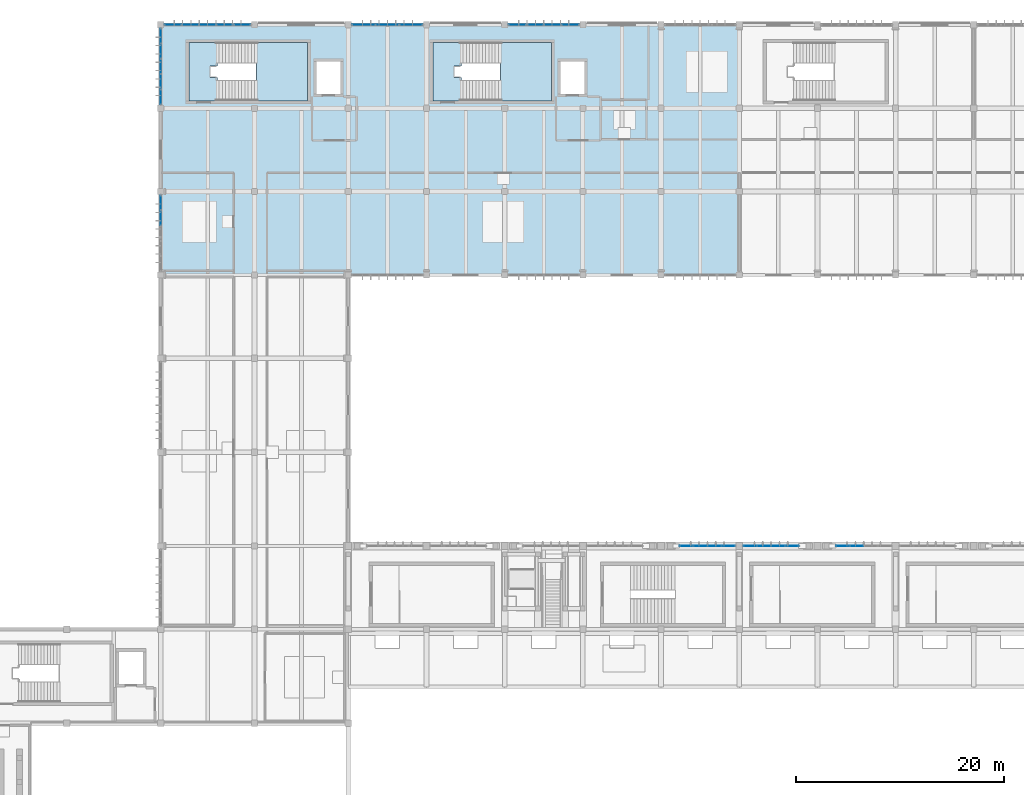
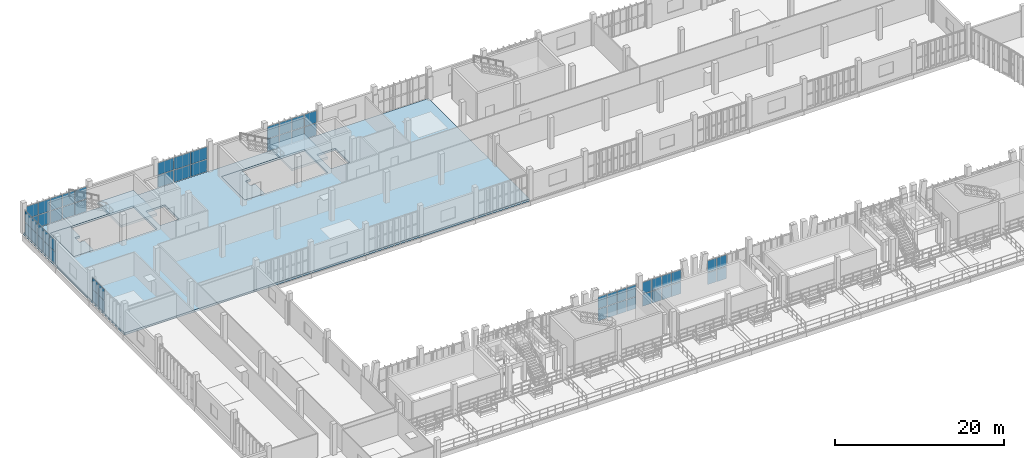
# One storey, part 42 of 81: 58 plates, 5 slabs, 10 elements without a shape of their own.
"""IFC4 building model written with IfcOpenShell, lengths in metres."""

from ifc_helpers import new_model, si_unit, direction, frame, origin, origin_2d, place, context, subcontext, project, spatial, polyline, rectangle, outline, extrude, material, layer, layer_set, type_object, element, aggregate, save


model = new_model("IFC4")

# Units and contexts
model_context = context("Model", 3, precision=1e-05, world=origin(), true_north=direction((0.0, 1.0)))
body_context = subcontext(model_context, "Body", "Model", "MODEL_VIEW")
ifc_project = project(units=[si_unit("LENGTHUNIT", "METRE"), si_unit("AREAUNIT", "SQUARE_METRE"), si_unit("VOLUMEUNIT", "CUBIC_METRE"), si_unit("PLANEANGLEUNIT", "RADIAN"), si_unit("MASSUNIT", "GRAM", prefix="KILO")], contexts=[model_context])

# Site, building, storey
site_placement = place(None, origin())
site = spatial("IfcSite", under=ifc_project, at=site_placement, CompositionType="ELEMENT")
building_placement = place(site_placement, origin())
building = spatial("IfcBuilding", under=site, at=building_placement, Name="Vourika Railside Aquatics Centre", CompositionType="ELEMENT")
storey_placement = place(building_placement, frame((0.0, 0.0, 4.800048828125)))
storey = spatial("IfcBuildingStorey", under=building, at=storey_placement, Name="L01", CompositionType="ELEMENT", Elevation=4.800048828125)

# Curtain wall, plates
ifc_material_1 = material(Name="Anodized thermally broken aluminium", Category="aluminium")
curtain_wall_type_1 = type_object("IfcCurtainWallType", Name="CW-CRT1", PredefinedType="NOTDEFINED", material=ifc_material_1)
curtain_wall_1_placement = place(storey_placement, origin())
curtain_wall_1 = element("IfcCurtainWall", 1, at=curtain_wall_1_placement, inside=storey, type_object=curtain_wall_type_1, Name="Spectator Concourse Courtyard Curtain Wall 5", PredefinedType="NOTDEFINED")
ifc_material_2 = material(Name="Low-E solar-control laminated double glazing", Category="glass")
ifc_layer_1 = layer(ifc_material_2, 0.02392578125, Name="CWP-CRT1")
ifc_layer_set_1 = layer_set([ifc_layer_1], Name="Low-E solar-control laminated double glazing")
plate_type_1 = type_object("IfcPlateType", Name="CWP-CRT1", PredefinedType="CURTAIN_PANEL", material=ifc_layer_set_1)
plate_1_placement = place(storey_placement, frame((72.44970703125, 66.0, 0.06591796875), z_axis=(0.0, 0.0, 1.0), x_axis=(-1.0, 0.0, 0.0)))
plate_1 = element("IfcPlate", 2, at=plate_1_placement, type_object=plate_type_1, Name="CW13 panel 1.1", PredefinedType="CURTAIN_PANEL", context=body_context, shape_type="SweptSolid", body=[
    extrude(rectangle(XDim=1.24853515625, YDim=0.02392578125, at=origin_2d()), origin(), (0.0, 0.0, 1.0), 1.700927734375),
])
plate_2_placement = place(storey_placement, frame((72.44970703125, 66.0, 1.8330078125), z_axis=(0.0, 0.0, 1.0), x_axis=(-1.0, 0.0, 0.0)))
plate_2 = element("IfcPlate", 3, at=plate_2_placement, type_object=plate_type_1, Name="CW13 panel 1.2", PredefinedType="CURTAIN_PANEL", context=body_context, shape_type="SweptSolid", body=[
    extrude(rectangle(XDim=1.24853515625, YDim=0.02392578125, at=origin_2d()), origin(), (0.0, 0.0, 1.0), 1.700927734375),
])
plate_3_placement = place(storey_placement, frame((71.11865234375, 66.0, 0.06591796875), z_axis=(0.0, 0.0, 1.0), x_axis=(-1.0, 0.0, 0.0)))
plate_3 = element("IfcPlate", 4, at=plate_3_placement, type_object=plate_type_1, Name="CW13 panel 2.1", PredefinedType="CURTAIN_PANEL", context=body_context, shape_type="SweptSolid", body=[
    extrude(rectangle(XDim=1.281494140625, YDim=0.02392578125, at=origin_2d()), origin(), (0.0, 0.0, 1.0), 1.700927734375),
])
plate_4_placement = place(storey_placement, frame((71.11865234375, 66.0, 1.8330078125), z_axis=(0.0, 0.0, 1.0), x_axis=(-1.0, 0.0, 0.0)))
plate_4 = element("IfcPlate", 5, at=plate_4_placement, type_object=plate_type_1, Name="CW13 panel 2.2", PredefinedType="CURTAIN_PANEL", context=body_context, shape_type="SweptSolid", body=[
    extrude(rectangle(XDim=1.281494140625, YDim=0.02392578125, at=origin_2d()), origin(), (0.0, 0.0, 1.0), 1.700927734375),
])
plate_5_placement = place(storey_placement, frame((69.771240234375, 66.0, 0.06591796875), z_axis=(0.0, 0.0, 1.0), x_axis=(-1.0, 0.0, 0.0)))
plate_5 = element("IfcPlate", 6, at=plate_5_placement, type_object=plate_type_1, Name="CW13 panel 3.1", PredefinedType="CURTAIN_PANEL", context=body_context, shape_type="SweptSolid", body=[
    extrude(rectangle(XDim=1.281494140625, YDim=0.02392578125, at=origin_2d()), origin(), (0.0, 0.0, 1.0), 1.700927734375),
])
plate_6_placement = place(storey_placement, frame((69.771240234375, 66.0, 1.8330078125), z_axis=(0.0, 0.0, 1.0), x_axis=(-1.0, 0.0, 0.0)))
plate_6 = element("IfcPlate", 7, at=plate_6_placement, type_object=plate_type_1, Name="CW13 panel 3.2", PredefinedType="CURTAIN_PANEL", context=body_context, shape_type="SweptSolid", body=[
    extrude(rectangle(XDim=1.281494140625, YDim=0.02392578125, at=origin_2d()), origin(), (0.0, 0.0, 1.0), 1.700927734375),
])
plate_7_placement = place(storey_placement, frame((68.440185546875, 66.0, 0.06591796875), z_axis=(0.0, 0.0, 1.0), x_axis=(-1.0, 0.0, 0.0)))
plate_7 = element("IfcPlate", 8, at=plate_7_placement, type_object=plate_type_1, Name="CW13 panel 4.1", PredefinedType="CURTAIN_PANEL", context=body_context, shape_type="SweptSolid", body=[
    extrude(rectangle(XDim=1.24853515625, YDim=0.02392578125, at=origin_2d()), origin(), (0.0, 0.0, 1.0), 1.700927734375),
])
plate_8_placement = place(storey_placement, frame((68.440185546875, 66.0, 1.8330078125), z_axis=(0.0, 0.0, 1.0), x_axis=(-1.0, 0.0, 0.0)))
plate_8 = element("IfcPlate", 9, at=plate_8_placement, type_object=plate_type_1, Name="CW13 panel 4.2", PredefinedType="CURTAIN_PANEL", context=body_context, shape_type="SweptSolid", body=[
    extrude(rectangle(XDim=1.24853515625, YDim=0.02392578125, at=origin_2d()), origin(), (0.0, 0.0, 1.0), 1.700927734375),
])
aggregate(curtain_wall_1, [plate_1, plate_2, plate_3, plate_4, plate_5, plate_6, plate_7, plate_8])

curtain_wall_2_placement = place(storey_placement, origin())
curtain_wall_2 = element("IfcCurtainWall", 10, at=curtain_wall_2_placement, inside=storey, type_object=curtain_wall_type_1, Name="Spectator Concourse Courtyard Curtain Wall 6", PredefinedType="NOTDEFINED")
plate_9_placement = place(storey_placement, frame((78.559814453125, 66.0, 0.06591796875), z_axis=(0.0, 0.0, 1.0), x_axis=(-1.0, 0.0, 0.0)))
plate_9 = element("IfcPlate", 11, at=plate_9_placement, type_object=plate_type_1, Name="CW13 panel 1.1", PredefinedType="CURTAIN_PANEL", context=body_context, shape_type="SweptSolid", body=[
    extrude(rectangle(XDim=1.24853515625, YDim=0.02392578125, at=origin_2d()), origin(), (0.0, 0.0, 1.0), 1.700927734375),
])
plate_10_placement = place(storey_placement, frame((78.559814453125, 66.0, 1.8330078125), z_axis=(0.0, 0.0, 1.0), x_axis=(-1.0, 0.0, 0.0)))
plate_10 = element("IfcPlate", 12, at=plate_10_placement, type_object=plate_type_1, Name="CW13 panel 1.2", PredefinedType="CURTAIN_PANEL", context=body_context, shape_type="SweptSolid", body=[
    extrude(rectangle(XDim=1.24853515625, YDim=0.02392578125, at=origin_2d()), origin(), (0.0, 0.0, 1.0), 1.700927734375),
])
plate_11_placement = place(storey_placement, frame((77.228759765625, 66.0, 0.06591796875), z_axis=(0.0, 0.0, 1.0), x_axis=(-1.0, 0.0, 0.0)))
plate_11 = element("IfcPlate", 13, at=plate_11_placement, type_object=plate_type_1, Name="CW13 panel 2.1", PredefinedType="CURTAIN_PANEL", context=body_context, shape_type="SweptSolid", body=[
    extrude(rectangle(XDim=1.281494140625, YDim=0.02392578125, at=origin_2d()), origin(), (0.0, 0.0, 1.0), 1.700927734375),
])
plate_12_placement = place(storey_placement, frame((77.228759765625, 66.0, 1.8330078125), z_axis=(0.0, 0.0, 1.0), x_axis=(-1.0, 0.0, 0.0)))
plate_12 = element("IfcPlate", 14, at=plate_12_placement, type_object=plate_type_1, Name="CW13 panel 2.2", PredefinedType="CURTAIN_PANEL", context=body_context, shape_type="SweptSolid", body=[
    extrude(rectangle(XDim=1.281494140625, YDim=0.02392578125, at=origin_2d()), origin(), (0.0, 0.0, 1.0), 1.700927734375),
])
plate_13_placement = place(storey_placement, frame((75.88134765625, 66.0, 0.06591796875), z_axis=(0.0, 0.0, 1.0), x_axis=(-1.0, 0.0, 0.0)))
plate_13 = element("IfcPlate", 15, at=plate_13_placement, type_object=plate_type_1, Name="CW13 panel 3.1", PredefinedType="CURTAIN_PANEL", context=body_context, shape_type="SweptSolid", body=[
    extrude(rectangle(XDim=1.281494140625, YDim=0.02392578125, at=origin_2d()), origin(), (0.0, 0.0, 1.0), 1.700927734375),
])
plate_14_placement = place(storey_placement, frame((75.88134765625, 66.0, 1.8330078125), z_axis=(0.0, 0.0, 1.0), x_axis=(-1.0, 0.0, 0.0)))
plate_14 = element("IfcPlate", 16, at=plate_14_placement, type_object=plate_type_1, Name="CW13 panel 3.2", PredefinedType="CURTAIN_PANEL", context=body_context, shape_type="SweptSolid", body=[
    extrude(rectangle(XDim=1.281494140625, YDim=0.02392578125, at=origin_2d()), origin(), (0.0, 0.0, 1.0), 1.700927734375),
])
plate_15_placement = place(storey_placement, frame((74.55029296875, 66.0, 0.06591796875), z_axis=(0.0, 0.0, 1.0), x_axis=(-1.0, 0.0, 0.0)))
plate_15 = element("IfcPlate", 17, at=plate_15_placement, type_object=plate_type_1, Name="CW13 panel 4.1", PredefinedType="CURTAIN_PANEL", context=body_context, shape_type="SweptSolid", body=[
    extrude(rectangle(XDim=1.24853515625, YDim=0.02392578125, at=origin_2d()), origin(), (0.0, 0.0, 1.0), 1.700927734375),
])
plate_16_placement = place(storey_placement, frame((74.55029296875, 66.0, 1.8330078125), z_axis=(0.0, 0.0, 1.0), x_axis=(-1.0, 0.0, 0.0)))
plate_16 = element("IfcPlate", 18, at=plate_16_placement, type_object=plate_type_1, Name="CW13 panel 4.2", PredefinedType="CURTAIN_PANEL", context=body_context, shape_type="SweptSolid", body=[
    extrude(rectangle(XDim=1.24853515625, YDim=0.02392578125, at=origin_2d()), origin(), (0.0, 0.0, 1.0), 1.700927734375),
])
aggregate(curtain_wall_2, [plate_9, plate_10, plate_11, plate_12, plate_13, plate_14, plate_15, plate_16])

curtain_wall_3_placement = place(storey_placement, origin())
curtain_wall_3 = element("IfcCurtainWall", 19, at=curtain_wall_3_placement, inside=storey, type_object=curtain_wall_type_1, Name="Spectator Concourse Courtyard Curtain Wall 7", PredefinedType="NOTDEFINED")
plate_17_placement = place(storey_placement, frame((84.771240234375, 66.0, 0.06591796875), z_axis=(0.0, 0.0, 1.0), x_axis=(-1.0, 0.0, 0.0)))
plate_17 = element("IfcPlate", 20, at=plate_17_placement, type_object=plate_type_1, Name="CW13 panel 3.1", PredefinedType="CURTAIN_PANEL", context=body_context, shape_type="SweptSolid", body=[
    extrude(rectangle(XDim=1.281494140625, YDim=0.02392578125, at=origin_2d()), origin(), (0.0, 0.0, 1.0), 1.700927734375),
])
plate_18_placement = place(storey_placement, frame((84.771240234375, 66.0, 1.8330078125), z_axis=(0.0, 0.0, 1.0), x_axis=(-1.0, 0.0, 0.0)))
plate_18 = element("IfcPlate", 21, at=plate_18_placement, type_object=plate_type_1, Name="CW13 panel 3.2", PredefinedType="CURTAIN_PANEL", context=body_context, shape_type="SweptSolid", body=[
    extrude(rectangle(XDim=1.281494140625, YDim=0.02392578125, at=origin_2d()), origin(), (0.0, 0.0, 1.0), 1.700927734375),
])
plate_19_placement = place(storey_placement, frame((83.440185546875, 66.0, 0.06591796875), z_axis=(0.0, 0.0, 1.0), x_axis=(-1.0, 0.0, 0.0)))
plate_19 = element("IfcPlate", 22, at=plate_19_placement, type_object=plate_type_1, Name="CW13 panel 4.1", PredefinedType="CURTAIN_PANEL", context=body_context, shape_type="SweptSolid", body=[
    extrude(rectangle(XDim=1.24853515625, YDim=0.02392578125, at=origin_2d()), origin(), (0.0, 0.0, 1.0), 1.700927734375),
])
plate_20_placement = place(storey_placement, frame((83.440185546875, 66.0, 1.8330078125), z_axis=(0.0, 0.0, 1.0), x_axis=(-1.0, 0.0, 0.0)))
plate_20 = element("IfcPlate", 23, at=plate_20_placement, type_object=plate_type_1, Name="CW13 panel 4.2", PredefinedType="CURTAIN_PANEL", context=body_context, shape_type="SweptSolid", body=[
    extrude(rectangle(XDim=1.24853515625, YDim=0.02392578125, at=origin_2d()), origin(), (0.0, 0.0, 1.0), 1.700927734375),
])
aggregate(curtain_wall_3, [plate_17, plate_18, plate_19, plate_20])

curtain_wall_type_2 = type_object("IfcCurtainWallType", Name="CW-FIT1", PredefinedType="NOTDEFINED", material=ifc_material_1)
curtain_wall_4_placement = place(storey_placement, origin())
curtain_wall_4 = element("IfcCurtainWall", 24, at=curtain_wall_4_placement, inside=storey, type_object=curtain_wall_type_2, Name="North Boulevard Curtain Wall L01-1", PredefinedType="NOTDEFINED")
ifc_layer_2 = layer(ifc_material_2, 0.02392578125, Name="CWP-FIT1")
ifc_layer_set_2 = layer_set([ifc_layer_2], Name="Low-E solar-control laminated double glazing")
plate_type_2 = type_object("IfcPlateType", Name="CWP-FIT1", PredefinedType="CURTAIN_PANEL", material=ifc_layer_set_2)
plate_21_placement = place(storey_placement, frame((25.820556640625, 116.0, 0.06201171875), z_axis=(0.0, 0.0, 1.0), x_axis=(-1.0, 0.0, 0.0)))
plate_21 = element("IfcPlate", 25, at=plate_21_placement, type_object=plate_type_2, Name="CW15 panel 1.1", PredefinedType="CURTAIN_PANEL", context=body_context, shape_type="SweptSolid", body=[
    extrude(rectangle(XDim=1.574951171875, YDim=0.02392578125, at=origin_2d()), origin(), (0.0, 0.0, 1.0), 1.757080078125),
])
plate_22_placement = place(storey_placement, frame((25.820556640625, 116.0, 1.880859375), z_axis=(0.0, 0.0, 1.0), x_axis=(-1.0, 0.0, 0.0)))
plate_22 = element("IfcPlate", 26, at=plate_22_placement, type_object=plate_type_2, Name="CW15 panel 1.2", PredefinedType="CURTAIN_PANEL", context=body_context, shape_type="SweptSolid", body=[
    extrude(rectangle(XDim=1.574951171875, YDim=0.02392578125, at=origin_2d()), origin(), (0.0, 0.0, 1.0), 1.757080078125),
])
plate_23_placement = place(storey_placement, frame((24.16796875, 116.0, 0.06201171875), z_axis=(0.0, 0.0, 1.0), x_axis=(-1.0, 0.0, 0.0)))
plate_23 = element("IfcPlate", 27, at=plate_23_placement, type_object=plate_type_2, Name="CW15 panel 2.1", PredefinedType="CURTAIN_PANEL", context=body_context, shape_type="SweptSolid", body=[
    extrude(rectangle(XDim=1.60595703125, YDim=0.02392578125, at=origin_2d()), origin(), (0.0, 0.0, 1.0), 1.757080078125),
])
plate_24_placement = place(storey_placement, frame((24.16796875, 116.0, 1.880859375), z_axis=(0.0, 0.0, 1.0), x_axis=(-1.0, 0.0, 0.0)))
plate_24 = element("IfcPlate", 28, at=plate_24_placement, type_object=plate_type_2, Name="CW15 panel 2.2", PredefinedType="CURTAIN_PANEL", context=body_context, shape_type="SweptSolid", body=[
    extrude(rectangle(XDim=1.60595703125, YDim=0.02392578125, at=origin_2d()), origin(), (0.0, 0.0, 1.0), 1.757080078125),
])
plate_25_placement = place(storey_placement, frame((22.5, 116.0, 0.06201171875), z_axis=(0.0, 0.0, 1.0), x_axis=(-1.0, 0.0, 0.0)))
plate_25 = element("IfcPlate", 29, at=plate_25_placement, type_object=plate_type_2, Name="CW15 panel 3.1", PredefinedType="CURTAIN_PANEL", context=body_context, shape_type="SweptSolid", body=[
    extrude(rectangle(XDim=1.60595703125, YDim=0.02392578125, at=origin_2d()), origin(), (0.0, 0.0, 1.0), 1.757080078125),
])
plate_26_placement = place(storey_placement, frame((22.5, 116.0, 1.880859375), z_axis=(0.0, 0.0, 1.0), x_axis=(-1.0, 0.0, 0.0)))
plate_26 = element("IfcPlate", 30, at=plate_26_placement, type_object=plate_type_2, Name="CW15 panel 3.2", PredefinedType="CURTAIN_PANEL", context=body_context, shape_type="SweptSolid", body=[
    extrude(rectangle(XDim=1.60595703125, YDim=0.02392578125, at=origin_2d()), origin(), (0.0, 0.0, 1.0), 1.757080078125),
])
plate_27_placement = place(storey_placement, frame((20.83203125, 116.0, 0.06201171875), z_axis=(0.0, 0.0, 1.0), x_axis=(-1.0, 0.0, 0.0)))
plate_27 = element("IfcPlate", 31, at=plate_27_placement, type_object=plate_type_2, Name="CW15 panel 4.1", PredefinedType="CURTAIN_PANEL", context=body_context, shape_type="SweptSolid", body=[
    extrude(rectangle(XDim=1.60595703125, YDim=0.02392578125, at=origin_2d()), origin(), (0.0, 0.0, 1.0), 1.757080078125),
])
plate_28_placement = place(storey_placement, frame((20.83203125, 116.0, 1.880859375), z_axis=(0.0, 0.0, 1.0), x_axis=(-1.0, 0.0, 0.0)))
plate_28 = element("IfcPlate", 32, at=plate_28_placement, type_object=plate_type_2, Name="CW15 panel 4.2", PredefinedType="CURTAIN_PANEL", context=body_context, shape_type="SweptSolid", body=[
    extrude(rectangle(XDim=1.60595703125, YDim=0.02392578125, at=origin_2d()), origin(), (0.0, 0.0, 1.0), 1.757080078125),
])
plate_29_placement = place(storey_placement, frame((19.179443359375, 116.0, 0.06201171875), z_axis=(0.0, 0.0, 1.0), x_axis=(-1.0, 0.0, 0.0)))
plate_29 = element("IfcPlate", 33, at=plate_29_placement, type_object=plate_type_2, Name="CW15 panel 5.1", PredefinedType="CURTAIN_PANEL", context=body_context, shape_type="SweptSolid", body=[
    extrude(rectangle(XDim=1.574951171875, YDim=0.02392578125, at=origin_2d()), origin(), (0.0, 0.0, 1.0), 1.757080078125),
])
plate_30_placement = place(storey_placement, frame((19.179443359375, 116.0, 1.880859375), z_axis=(0.0, 0.0, 1.0), x_axis=(-1.0, 0.0, 0.0)))
plate_30 = element("IfcPlate", 34, at=plate_30_placement, type_object=plate_type_2, Name="CW15 panel 5.2", PredefinedType="CURTAIN_PANEL", context=body_context, shape_type="SweptSolid", body=[
    extrude(rectangle(XDim=1.574951171875, YDim=0.02392578125, at=origin_2d()), origin(), (0.0, 0.0, 1.0), 1.757080078125),
])
aggregate(curtain_wall_4, [plate_21, plate_22, plate_23, plate_24, plate_25, plate_26, plate_27, plate_28, plate_29, plate_30])

curtain_wall_5_placement = place(storey_placement, origin())
curtain_wall_5 = element("IfcCurtainWall", 35, at=curtain_wall_5_placement, inside=storey, type_object=curtain_wall_type_2, Name="North Boulevard Curtain Wall L01-3", PredefinedType="NOTDEFINED")
plate_31_placement = place(storey_placement, frame((42.014404296875, 116.0, 0.06201171875), z_axis=(0.0, 0.0, 1.0), x_axis=(-1.0, 0.0, 0.0)))
plate_31 = element("IfcPlate", 36, at=plate_31_placement, type_object=plate_type_2, Name="CW15 panel 1.1", PredefinedType="CURTAIN_PANEL", context=body_context, shape_type="SweptSolid", body=[
    extrude(rectangle(XDim=2.18701171875, YDim=0.02392578125, at=origin_2d()), origin(), (0.0, 0.0, 1.0), 1.757080078125),
])
plate_32_placement = place(storey_placement, frame((42.014404296875, 116.0, 1.880859375), z_axis=(0.0, 0.0, 1.0), x_axis=(-1.0, 0.0, 0.0)))
plate_32 = element("IfcPlate", 37, at=plate_32_placement, type_object=plate_type_2, Name="CW15 panel 1.2", PredefinedType="CURTAIN_PANEL", context=body_context, shape_type="SweptSolid", body=[
    extrude(rectangle(XDim=2.18701171875, YDim=0.02392578125, at=origin_2d()), origin(), (0.0, 0.0, 1.0), 1.757080078125),
])
plate_33_placement = place(storey_placement, frame((39.75, 116.0, 0.06201171875), z_axis=(0.0, 0.0, 1.0), x_axis=(-1.0, 0.0, 0.0)))
plate_33 = element("IfcPlate", 38, at=plate_33_placement, type_object=plate_type_2, Name="CW15 panel 2.1", PredefinedType="CURTAIN_PANEL", context=body_context, shape_type="SweptSolid", body=[
    extrude(rectangle(XDim=2.218017578125, YDim=0.02392578125, at=origin_2d()), origin(), (0.0, 0.0, 1.0), 1.757080078125),
])
plate_34_placement = place(storey_placement, frame((39.75, 116.0, 1.880859375), z_axis=(0.0, 0.0, 1.0), x_axis=(-1.0, 0.0, 0.0)))
plate_34 = element("IfcPlate", 39, at=plate_34_placement, type_object=plate_type_2, Name="CW15 panel 2.2", PredefinedType="CURTAIN_PANEL", context=body_context, shape_type="SweptSolid", body=[
    extrude(rectangle(XDim=2.218017578125, YDim=0.02392578125, at=origin_2d()), origin(), (0.0, 0.0, 1.0), 1.757080078125),
])
plate_35_placement = place(storey_placement, frame((37.485595703125, 116.0, 0.06201171875), z_axis=(0.0, 0.0, 1.0), x_axis=(-1.0, 0.0, 0.0)))
plate_35 = element("IfcPlate", 40, at=plate_35_placement, type_object=plate_type_2, Name="CW15 panel 3.1", PredefinedType="CURTAIN_PANEL", context=body_context, shape_type="SweptSolid", body=[
    extrude(rectangle(XDim=2.18701171875, YDim=0.02392578125, at=origin_2d()), origin(), (0.0, 0.0, 1.0), 1.757080078125),
])
plate_36_placement = place(storey_placement, frame((37.485595703125, 116.0, 1.880859375), z_axis=(0.0, 0.0, 1.0), x_axis=(-1.0, 0.0, 0.0)))
plate_36 = element("IfcPlate", 41, at=plate_36_placement, type_object=plate_type_2, Name="CW15 panel 3.2", PredefinedType="CURTAIN_PANEL", context=body_context, shape_type="SweptSolid", body=[
    extrude(rectangle(XDim=2.18701171875, YDim=0.02392578125, at=origin_2d()), origin(), (0.0, 0.0, 1.0), 1.757080078125),
])
aggregate(curtain_wall_5, [plate_31, plate_32, plate_33, plate_34, plate_35, plate_36])

curtain_wall_6_placement = place(storey_placement, origin())
curtain_wall_6 = element("IfcCurtainWall", 42, at=curtain_wall_6_placement, inside=storey, type_object=curtain_wall_type_2, Name="North Boulevard Curtain Wall L01-5", PredefinedType="NOTDEFINED")
plate_37_placement = place(storey_placement, frame((57.299560546875, 116.0, 0.06201171875), z_axis=(0.0, 0.0, 1.0), x_axis=(-1.0, 0.0, 0.0)))
plate_37 = element("IfcPlate", 43, at=plate_37_placement, type_object=plate_type_2, Name="CW15 panel 1.1", PredefinedType="CURTAIN_PANEL", context=body_context, shape_type="SweptSolid", body=[
    extrude(rectangle(XDim=1.616943359375, YDim=0.02392578125, at=origin_2d()), origin(), (0.0, 0.0, 1.0), 1.757080078125),
])
plate_38_placement = place(storey_placement, frame((57.299560546875, 116.0, 1.880859375), z_axis=(0.0, 0.0, 1.0), x_axis=(-1.0, 0.0, 0.0)))
plate_38 = element("IfcPlate", 44, at=plate_38_placement, type_object=plate_type_2, Name="CW15 panel 1.2", PredefinedType="CURTAIN_PANEL", context=body_context, shape_type="SweptSolid", body=[
    extrude(rectangle(XDim=1.616943359375, YDim=0.02392578125, at=origin_2d()), origin(), (0.0, 0.0, 1.0), 1.757080078125),
])
plate_39_placement = place(storey_placement, frame((55.60498046875, 116.0, 0.06201171875), z_axis=(0.0, 0.0, 1.0), x_axis=(-1.0, 0.0, 0.0)))
plate_39 = element("IfcPlate", 45, at=plate_39_placement, type_object=plate_type_2, Name="CW15 panel 2.1", PredefinedType="CURTAIN_PANEL", context=body_context, shape_type="SweptSolid", body=[
    extrude(rectangle(XDim=1.64794921875, YDim=0.02392578125, at=origin_2d()), origin(), (0.0, 0.0, 1.0), 1.757080078125),
])
plate_40_placement = place(storey_placement, frame((55.60498046875, 116.0, 1.880859375), z_axis=(0.0, 0.0, 1.0), x_axis=(-1.0, 0.0, 0.0)))
plate_40 = element("IfcPlate", 46, at=plate_40_placement, type_object=plate_type_2, Name="CW15 panel 2.2", PredefinedType="CURTAIN_PANEL", context=body_context, shape_type="SweptSolid", body=[
    extrude(rectangle(XDim=1.64794921875, YDim=0.02392578125, at=origin_2d()), origin(), (0.0, 0.0, 1.0), 1.757080078125),
])
plate_41_placement = place(storey_placement, frame((53.89501953125, 116.0, 0.06201171875), z_axis=(0.0, 0.0, 1.0), x_axis=(-1.0, 0.0, 0.0)))
plate_41 = element("IfcPlate", 47, at=plate_41_placement, type_object=plate_type_2, Name="CW15 panel 3.1", PredefinedType="CURTAIN_PANEL", context=body_context, shape_type="SweptSolid", body=[
    extrude(rectangle(XDim=1.64794921875, YDim=0.02392578125, at=origin_2d()), origin(), (0.0, 0.0, 1.0), 1.757080078125),
])
plate_42_placement = place(storey_placement, frame((53.89501953125, 116.0, 1.880859375), z_axis=(0.0, 0.0, 1.0), x_axis=(-1.0, 0.0, 0.0)))
plate_42 = element("IfcPlate", 48, at=plate_42_placement, type_object=plate_type_2, Name="CW15 panel 3.2", PredefinedType="CURTAIN_PANEL", context=body_context, shape_type="SweptSolid", body=[
    extrude(rectangle(XDim=1.64794921875, YDim=0.02392578125, at=origin_2d()), origin(), (0.0, 0.0, 1.0), 1.757080078125),
])
plate_43_placement = place(storey_placement, frame((52.200439453125, 116.0, 0.06201171875), z_axis=(0.0, 0.0, 1.0), x_axis=(-1.0, 0.0, 0.0)))
plate_43 = element("IfcPlate", 49, at=plate_43_placement, type_object=plate_type_2, Name="CW15 panel 4.1", PredefinedType="CURTAIN_PANEL", context=body_context, shape_type="SweptSolid", body=[
    extrude(rectangle(XDim=1.616943359375, YDim=0.02392578125, at=origin_2d()), origin(), (0.0, 0.0, 1.0), 1.757080078125),
])
plate_44_placement = place(storey_placement, frame((52.200439453125, 116.0, 1.880859375), z_axis=(0.0, 0.0, 1.0), x_axis=(-1.0, 0.0, 0.0)))
plate_44 = element("IfcPlate", 50, at=plate_44_placement, type_object=plate_type_2, Name="CW15 panel 4.2", PredefinedType="CURTAIN_PANEL", context=body_context, shape_type="SweptSolid", body=[
    extrude(rectangle(XDim=1.616943359375, YDim=0.02392578125, at=origin_2d()), origin(), (0.0, 0.0, 1.0), 1.757080078125),
])
aggregate(curtain_wall_6, [plate_37, plate_38, plate_39, plate_40, plate_41, plate_42, plate_43, plate_44])

curtain_wall_7_placement = place(storey_placement, origin())
curtain_wall_7 = element("IfcCurtainWall", 51, at=curtain_wall_7_placement, inside=storey, type_object=curtain_wall_type_2, Name="Fitness West Boulevard Curtain Wall L01-5", PredefinedType="NOTDEFINED")
plate_45_placement = place(storey_placement, frame((18.0, 98.92041015625, 0.06201171875), z_axis=(0.0, 0.0, 1.0), x_axis=(0.0, -1.0, 0.0)))
plate_45 = element("IfcPlate", 52, at=plate_45_placement, type_object=plate_type_2, Name="CW15 panel 1.1", PredefinedType="CURTAIN_PANEL", context=body_context, shape_type="SweptSolid", body=[
    extrude(rectangle(XDim=1.375, YDim=0.02392578125, at=origin_2d()), origin(), (0.0, 0.0, 1.0), 1.656982421875),
])
plate_46_placement = place(storey_placement, frame((18.0, 98.92041015625, 1.78076171875), z_axis=(0.0, 0.0, 1.0), x_axis=(0.0, -1.0, 0.0)))
plate_46 = element("IfcPlate", 53, at=plate_46_placement, type_object=plate_type_2, Name="CW15 panel 1.2", PredefinedType="CURTAIN_PANEL", context=body_context, shape_type="SweptSolid", body=[
    extrude(rectangle(XDim=1.375, YDim=0.02392578125, at=origin_2d()), origin(), (0.0, 0.0, 1.0), 1.656982421875),
])
plate_47_placement = place(storey_placement, frame((18.0, 97.468017578125, 0.06201171875), z_axis=(0.0, 0.0, 1.0), x_axis=(0.0, -1.0, 0.0)))
plate_47 = element("IfcPlate", 54, at=plate_47_placement, type_object=plate_type_2, Name="CW15 panel 2.1", PredefinedType="CURTAIN_PANEL", context=body_context, shape_type="SweptSolid", body=[
    extrude(rectangle(XDim=1.406005859375, YDim=0.02392578125, at=origin_2d()), origin(), (0.0, 0.0, 1.0), 1.656982421875),
])
plate_48_placement = place(storey_placement, frame((18.0, 97.468017578125, 1.78076171875), z_axis=(0.0, 0.0, 1.0), x_axis=(0.0, -1.0, 0.0)))
plate_48 = element("IfcPlate", 55, at=plate_48_placement, type_object=plate_type_2, Name="CW15 panel 2.2", PredefinedType="CURTAIN_PANEL", context=body_context, shape_type="SweptSolid", body=[
    extrude(rectangle(XDim=1.406005859375, YDim=0.02392578125, at=origin_2d()), origin(), (0.0, 0.0, 1.0), 1.656982421875),
])
aggregate(curtain_wall_7, [plate_45, plate_46, plate_47, plate_48])

curtain_wall_8_placement = place(storey_placement, origin())
curtain_wall_8 = element("IfcCurtainWall", 56, at=curtain_wall_8_placement, inside=storey, type_object=curtain_wall_type_2, Name="Fitness West Boulevard Curtain Wall L01-7", PredefinedType="NOTDEFINED")
plate_49_placement = place(storey_placement, frame((18.0, 114.92041015625, 0.06201171875), z_axis=(0.0, 0.0, 1.0), x_axis=(0.0, -1.0, 0.0)))
plate_49 = element("IfcPlate", 57, at=plate_49_placement, type_object=plate_type_2, Name="CW15 panel 1.1", PredefinedType="CURTAIN_PANEL", context=body_context, shape_type="SweptSolid", body=[
    extrude(rectangle(XDim=1.375, YDim=0.02392578125, at=origin_2d()), origin(), (0.0, 0.0, 1.0), 1.656982421875),
])
plate_50_placement = place(storey_placement, frame((18.0, 114.92041015625, 1.78076171875), z_axis=(0.0, 0.0, 1.0), x_axis=(0.0, -1.0, 0.0)))
plate_50 = element("IfcPlate", 58, at=plate_50_placement, type_object=plate_type_2, Name="CW15 panel 1.2", PredefinedType="CURTAIN_PANEL", context=body_context, shape_type="SweptSolid", body=[
    extrude(rectangle(XDim=1.375, YDim=0.02392578125, at=origin_2d()), origin(), (0.0, 0.0, 1.0), 1.656982421875),
])
plate_51_placement = place(storey_placement, frame((18.0, 113.468017578125, 0.06201171875), z_axis=(0.0, 0.0, 1.0), x_axis=(0.0, -1.0, 0.0)))
plate_51 = element("IfcPlate", 59, at=plate_51_placement, type_object=plate_type_2, Name="CW15 panel 2.1", PredefinedType="CURTAIN_PANEL", context=body_context, shape_type="SweptSolid", body=[
    extrude(rectangle(XDim=1.406005859375, YDim=0.02392578125, at=origin_2d()), origin(), (0.0, 0.0, 1.0), 1.656982421875),
])
plate_52_placement = place(storey_placement, frame((18.0, 113.468017578125, 1.78076171875), z_axis=(0.0, 0.0, 1.0), x_axis=(0.0, -1.0, 0.0)))
plate_52 = element("IfcPlate", 60, at=plate_52_placement, type_object=plate_type_2, Name="CW15 panel 2.2", PredefinedType="CURTAIN_PANEL", context=body_context, shape_type="SweptSolid", body=[
    extrude(rectangle(XDim=1.406005859375, YDim=0.02392578125, at=origin_2d()), origin(), (0.0, 0.0, 1.0), 1.656982421875),
])
plate_53_placement = place(storey_placement, frame((18.0, 112.0, 0.06201171875), z_axis=(0.0, 0.0, 1.0), x_axis=(0.0, -1.0, 0.0)))
plate_53 = element("IfcPlate", 61, at=plate_53_placement, type_object=plate_type_2, Name="CW15 panel 3.1", PredefinedType="CURTAIN_PANEL", context=body_context, shape_type="SweptSolid", body=[
    extrude(rectangle(XDim=1.406005859375, YDim=0.02392578125, at=origin_2d()), origin(), (0.0, 0.0, 1.0), 1.656982421875),
])
plate_54_placement = place(storey_placement, frame((18.0, 112.0, 1.78076171875), z_axis=(0.0, 0.0, 1.0), x_axis=(0.0, -1.0, 0.0)))
plate_54 = element("IfcPlate", 62, at=plate_54_placement, type_object=plate_type_2, Name="CW15 panel 3.2", PredefinedType="CURTAIN_PANEL", context=body_context, shape_type="SweptSolid", body=[
    extrude(rectangle(XDim=1.406005859375, YDim=0.02392578125, at=origin_2d()), origin(), (0.0, 0.0, 1.0), 1.656982421875),
])
plate_55_placement = place(storey_placement, frame((18.0, 110.531982421875, 0.06201171875), z_axis=(0.0, 0.0, 1.0), x_axis=(0.0, -1.0, 0.0)))
plate_55 = element("IfcPlate", 63, at=plate_55_placement, type_object=plate_type_2, Name="CW15 panel 4.1", PredefinedType="CURTAIN_PANEL", context=body_context, shape_type="SweptSolid", body=[
    extrude(rectangle(XDim=1.406005859375, YDim=0.02392578125, at=origin_2d()), origin(), (0.0, 0.0, 1.0), 1.656982421875),
])
plate_56_placement = place(storey_placement, frame((18.0, 110.531982421875, 1.78076171875), z_axis=(0.0, 0.0, 1.0), x_axis=(0.0, -1.0, 0.0)))
plate_56 = element("IfcPlate", 64, at=plate_56_placement, type_object=plate_type_2, Name="CW15 panel 4.2", PredefinedType="CURTAIN_PANEL", context=body_context, shape_type="SweptSolid", body=[
    extrude(rectangle(XDim=1.406005859375, YDim=0.02392578125, at=origin_2d()), origin(), (0.0, 0.0, 1.0), 1.656982421875),
])
plate_57_placement = place(storey_placement, frame((18.0, 109.07958984375, 0.06201171875), z_axis=(0.0, 0.0, 1.0), x_axis=(0.0, -1.0, 0.0)))
plate_57 = element("IfcPlate", 65, at=plate_57_placement, type_object=plate_type_2, Name="CW15 panel 5.1", PredefinedType="CURTAIN_PANEL", context=body_context, shape_type="SweptSolid", body=[
    extrude(rectangle(XDim=1.375, YDim=0.02392578125, at=origin_2d()), origin(), (0.0, 0.0, 1.0), 1.656982421875),
])
plate_58_placement = place(storey_placement, frame((18.0, 109.07958984375, 1.78076171875), z_axis=(0.0, 0.0, 1.0), x_axis=(0.0, -1.0, 0.0)))
plate_58 = element("IfcPlate", 66, at=plate_58_placement, type_object=plate_type_2, Name="CW15 panel 5.2", PredefinedType="CURTAIN_PANEL", context=body_context, shape_type="SweptSolid", body=[
    extrude(rectangle(XDim=1.375, YDim=0.02392578125, at=origin_2d()), origin(), (0.0, 0.0, 1.0), 1.656982421875),
])
aggregate(curtain_wall_8, [plate_49, plate_50, plate_51, plate_52, plate_53, plate_54, plate_55, plate_56, plate_57, plate_58])

# Slabs
ifc_material_3 = material(Name="Concrete C35/45", Category="concrete")
ifc_layer_3 = layer(ifc_material_3, 0.31005859375, Name="SLB-CORE-310")
ifc_layer_set_3 = layer_set([ifc_layer_3], Name="Concrete C35/45")
slab_type_1 = type_object("IfcSlabType", Name="SLB-CORE-310", PredefinedType="FLOOR", material=ifc_layer_set_3)
slab_1_placement = place(storey_placement, frame((0.0, 0.0, -0.31005859375)))
element("IfcSlab", 67, at=slab_1_placement, inside=storey, type_object=slab_type_1, Name="Protected Exit Stair Core ST01 Core Floor Landing (L01)", PredefinedType="FLOOR", context=body_context, shape_type="SweptSolid", body=[
    extrude(outline(polyline([(20.699951171875, 108.699951171875), (23.43994140625, 108.699951171875), (23.43994140625, 110.949951171875), (22.75, 110.949951171875), (22.75, 112.050048828125), (23.43994140625, 112.050048828125), (23.43994140625, 114.300048828125), (20.699951171875, 114.300048828125), (20.699951171875, 108.699951171875)])), origin(), (0.0, 0.0, 1.0), 0.31005859375),
])
slab_2_placement = place(storey_placement, frame((0.0, 0.0, -0.31005859375)))
element("IfcSlab", 68, at=slab_2_placement, inside=storey, type_object=slab_type_1, Name="Protected Exit Stair Core ST02 Core Floor Landing (L01)", PredefinedType="FLOOR", context=body_context, shape_type="SweptSolid", body=[
    extrude(outline(polyline([(44.10009765625, 108.699951171875), (46.840087890625, 108.699951171875), (46.840087890625, 110.949951171875), (46.14990234375, 110.949951171875), (46.14990234375, 112.050048828125), (46.840087890625, 112.050048828125), (46.840087890625, 114.300048828125), (44.10009765625, 114.300048828125), (44.10009765625, 108.699951171875)])), origin(), (0.0, 0.0, 1.0), 0.31005859375),
])
ifc_layer_4 = layer(ifc_material_3, 0.300048828125, Name="SLB-FLOOR-300")
ifc_layer_set_4 = layer_set([ifc_layer_4], Name="Concrete C35/45")
slab_type_2 = type_object("IfcSlabType", Name="SLB-FLOOR-300", PredefinedType="FLOOR", material=ifc_layer_set_4)
slab_3_placement = place(storey_placement, frame((0.0, 0.0, -0.300048828125)))
element("IfcSlab", 69, at=slab_3_placement, inside=storey, type_object=slab_type_2, Name="L01 Floor Slab (v5_gym_w)", PredefinedType="FLOOR", context=body_context, shape_type="SweptSolid", body=[
    extrude(outline(polyline([(18.0, 92.0), (18.0, 116.0), (73.5, 116.0), (73.5, 92.0), (18.0, 92.0)]), holes=[polyline([(35.39990234375, 112.60009765625), (32.800048828125, 112.60009765625), (32.800048828125, 109.199951171875), (35.39990234375, 109.199951171875), (35.39990234375, 112.60009765625)]), polyline([(58.800048828125, 112.60009765625), (56.199951171875, 112.60009765625), (56.199951171875, 109.199951171875), (58.800048828125, 109.199951171875), (58.800048828125, 112.60009765625)]), polyline([(32.10009765625, 114.300048828125), (20.699951171875, 114.300048828125), (20.699951171875, 108.699951171875), (32.10009765625, 108.699951171875), (32.10009765625, 114.300048828125)]), polyline([(55.5, 114.300048828125), (44.10009765625, 114.300048828125), (44.10009765625, 108.699951171875), (55.5, 108.699951171875), (55.5, 114.300048828125)])]), origin(), (0.0, 0.0, 1.0), 0.300048828125),
])

# Stair, slab
stair_type = type_object("IfcStairType", Name="STR-CORE-L01", PredefinedType="TWO_STRAIGHT_RUN_STAIR", material=ifc_material_3)
stair_1_placement = place(storey_placement, origin())
stair_1 = element("IfcStair", 70, at=stair_1_placement, inside=storey, type_object=stair_type, Name="Protected Exit Stair Core ST01 (L01)", PredefinedType="TWO_STRAIGHT_RUN_STAIR")
ifc_layer_5 = layer(ifc_material_3, 0.31005859375, Name="SLB-LND-310")
ifc_layer_set_5 = layer_set([ifc_layer_5], Name="Concrete C35/45")
slab_type_3 = type_object("IfcSlabType", Name="SLB-LND-310", PredefinedType="LANDING", material=ifc_layer_set_5)
slab_4_placement = place(storey_placement, frame((0.0, 0.0, 1.93994140625)))
slab_4 = element("IfcSlab", 71, at=slab_4_placement, type_object=slab_type_3, Name="STC-L01 landing 1", PredefinedType="LANDING", context=body_context, shape_type="SweptSolid", body=[
    extrude(outline(polyline([(27.1640625, 108.699951171875), (32.10009765625, 108.699951171875), (32.10009765625, 114.300048828125), (27.1640625, 114.300048828125), (27.1640625, 108.699951171875)])), origin(), (0.0, 0.0, 1.0), 0.31005859375),
])
aggregate(stair_1, [slab_4])

stair_2_placement = place(storey_placement, origin())
stair_2 = element("IfcStair", 72, at=stair_2_placement, inside=storey, type_object=stair_type, Name="Protected Exit Stair Core ST02 (L01)", PredefinedType="TWO_STRAIGHT_RUN_STAIR")
slab_5_placement = place(storey_placement, frame((0.0, 0.0, 1.93994140625)))
slab_5 = element("IfcSlab", 73, at=slab_5_placement, type_object=slab_type_3, Name="STC-L01 landing 1", PredefinedType="LANDING", context=body_context, shape_type="SweptSolid", body=[
    extrude(outline(polyline([(50.56396484375, 108.699951171875), (55.5, 108.699951171875), (55.5, 114.300048828125), (50.56396484375, 114.300048828125), (50.56396484375, 108.699951171875)])), origin(), (0.0, 0.0, 1.0), 0.31005859375),
])
aggregate(stair_2, [slab_5])

save(model, "model.ifc")
